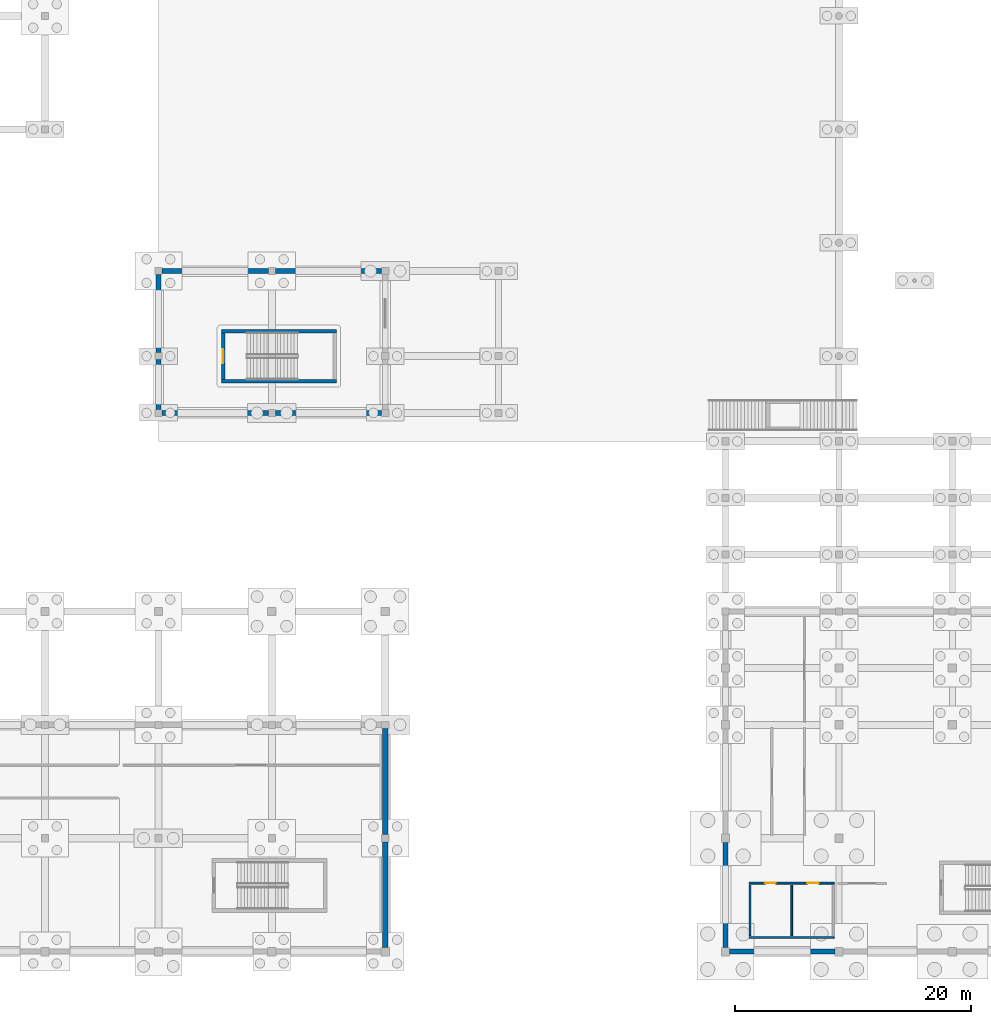
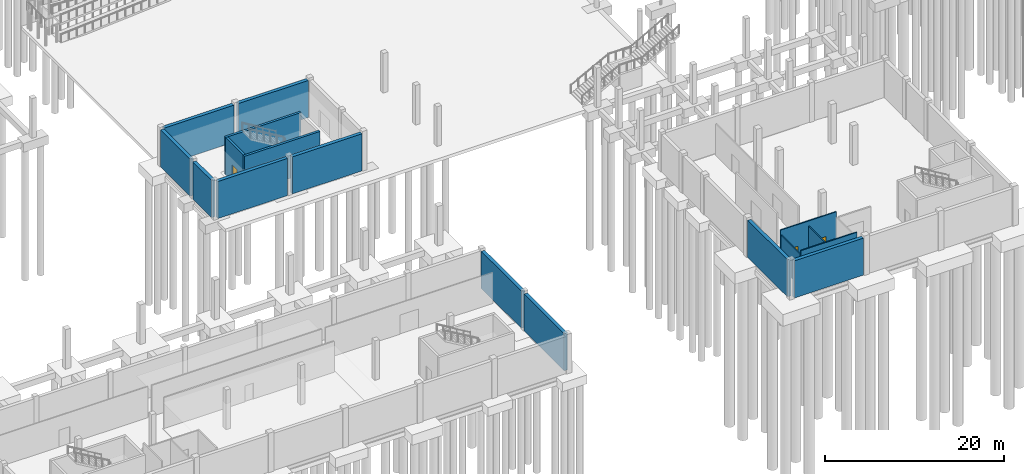
# One storey, part 23 of 41: 17 walls, 3 doors, 3 openings.
"""IFC4 building model written with IfcOpenShell, lengths in metres."""

from ifc_helpers import new_model, si_unit, direction, frame, frame_2d, origin, place, context, subcontext, project, spatial, rectangle, extrude, material, layer, layer_set, type_object, element, fill, save


model = new_model("IFC4")

# Units and contexts
model_context = context("Model", 3, precision=1e-05, world=origin(), true_north=direction((0.0, 1.0)))
body_context = subcontext(model_context, "Body", "Model", "MODEL_VIEW")
ifc_project = project(units=[si_unit("LENGTHUNIT", "METRE"), si_unit("AREAUNIT", "SQUARE_METRE"), si_unit("VOLUMEUNIT", "CUBIC_METRE"), si_unit("PLANEANGLEUNIT", "RADIAN"), si_unit("MASSUNIT", "GRAM", prefix="KILO")], contexts=[model_context])

# Site, building, storey
site_placement = place(None, origin())
site = spatial("IfcSite", under=ifc_project, at=site_placement, CompositionType="ELEMENT")
building_placement = place(site_placement, origin())
building = spatial("IfcBuilding", under=site, at=building_placement, Name="Shalvenor Court Art Gallery", CompositionType="ELEMENT")
storey_placement = place(building_placement, frame((0.0, 0.0, -5.39990234375)))
storey = spatial("IfcBuildingStorey", under=building, at=storey_placement, Name="B01", CompositionType="ELEMENT", Elevation=-5.39990234375)

# Walls
ifc_material_1 = material(Name="Concrete C40/50", Category="concrete")
ifc_layer_1 = layer(ifc_material_1, 0.31005859375, Name="Concrete C40/50")
ifc_layer_set_1 = layer_set([ifc_layer_1], Name="Concrete C40/50")
wall_type_1 = type_object("IfcWallType", Name="CW-W2", PredefinedType="SHEAR", material=ifc_layer_set_1)
for number, where, z_axis, x_axis, name in (
    (1, (53.327880859375, 52.51708984375, 0.0), (0.0, 0.0, 1.0), (1.0, 0.0, 0.0), "B01 C10 Stair Core Shear Wall N"),
    (2, (63.072021484375, 48.282958984375, 0.0), (0.0, 0.0, 1.0), (-1.0, 0.0, 0.0), "B01 C10 Stair Core Shear Wall S"),
):
    element("IfcWall", number, at=place(storey_placement, frame(where, z_axis=z_axis, x_axis=x_axis)), inside=storey, type_object=wall_type_1, Name=name, PredefinedType="SHEAR", context=body_context, shape_type="SweptSolid", body=[
        extrude(rectangle(XDim=9.744140625, YDim=0.31005859375, at=frame_2d((4.8720703125, 0.0))), origin(), (0.0, 0.0, 1.0), 5.059814453125),
    ])

# Wall, opening, door
wall_1_placement = place(storey_placement, frame((53.48291015625, 48.43798828125, 0.0), z_axis=(0.0, 0.0, 1.0), x_axis=(0.0, 1.0, 0.0)))
wall_1 = element("IfcWall", 3, at=wall_1_placement, inside=storey, type_object=wall_type_1, Name="B01 C10 Stair Core Shear Wall W", PredefinedType="SHEAR", context=body_context, shape_type="SweptSolid", body=[
    extrude(rectangle(XDim=3.924072265625, YDim=0.31005859375, at=frame_2d((1.9619140625, 0.0))), origin(), (0.0, 0.0, 1.0), 5.059814453125),
])
opening_1_placement = place(wall_1_placement, frame((1.362060546875, 0.0, 0.0)))
opening_1 = element("IfcOpeningElement", 4, at=opening_1_placement, cuts=wall_1, Name="Opening FD-01", PredefinedType="OPENING", context=body_context, shape_type="SweptSolid", body=[
    extrude(rectangle(XDim=1.199951171875, YDim=2.199951171875, at=frame_2d((0.60009765625, 1.10009765625))), frame((0.0, 0.1650390625, 0.0), z_axis=(0.0, -1.0, 0.0), x_axis=(1.0, 0.0, 0.0)), (0.0, 0.0, 1.0), 0.330078125),
])
ifc_material_2 = material(Name="Fire-rated steel stair doorset", Category="steel")
door_type_1 = type_object("IfcDoorType", Name="FD-01", OperationType="NOTDEFINED", PredefinedType="DOOR", material=ifc_material_2)
door_1_placement = place(opening_1_placement, origin())
door_1 = element("IfcDoor", 5, at=door_1_placement, inside=storey, type_object=door_type_1, Name="DR-ST-B01-C10 B01 ST-10 Fire Stair Door", OperationType="SINGLE_SWING_LEFT", OverallHeight=2.199951171875, OverallWidth=1.199951171875, PredefinedType="DOOR", context=body_context, shape_type="SweptSolid", body=[
    extrude(rectangle(XDim=1.199951171875, YDim=2.199951171875, at=frame_2d((0.60009765625, 1.10009765625))), frame((0.0, 0.02490234375, 0.0), z_axis=(0.0, -1.0, 0.0), x_axis=(1.0, 0.0, 0.0)), (0.0, 0.0, 1.0), 0.050048828125),
])
fill(opening_1, door_1)

# Wall, openings, doors
ifc_material_3 = material(Name="Moisture-resistant sanitary partition", Category="other")
ifc_layer_2 = layer(ifc_material_3, 0.14990234375, Name="Moisture-resistant sanitary partition")
ifc_layer_set_2 = layer_set([ifc_layer_2], Name="Moisture-resistant sanitary partition")
wall_type_2 = type_object("IfcWallType", Name="PT-03", PredefinedType="PARTITIONING", material=ifc_layer_set_2)
wall_2_placement = place(storey_placement, frame((98.0, 5.800048828125, 0.0), z_axis=(0.0, 0.0, 1.0), x_axis=(1.0, 0.0, 0.0)))
wall_2 = element("IfcWall", 6, at=wall_2_placement, inside=storey, type_object=wall_type_2, Name="B01 C4 Restroom Front Partition", PredefinedType="PARTITIONING", context=body_context, shape_type="SweptSolid", body=[
    extrude(rectangle(XDim=7.199951171875, YDim=0.14990234375, at=frame_2d((3.60009765625, 0.0))), origin(), (0.0, 0.0, 1.0), 5.059814453125),
])
opening_2_placement = place(wall_2_placement, frame((1.35009765625, 0.0, 0.0)))
opening_2 = element("IfcOpeningElement", 7, at=opening_2_placement, cuts=wall_2, Name="Opening ID-07", PredefinedType="OPENING", context=body_context, shape_type="SweptSolid", body=[
    extrude(rectangle(XDim=0.89990234375, YDim=2.10009765625, at=frame_2d((0.449951171875, 1.050048828125))), frame((0.0, 0.0849609375, 0.0), z_axis=(0.0, -1.0, 0.0), x_axis=(1.0, 0.0, 0.0)), (0.0, 0.0, 1.0), 0.169921875),
])
opening_3_placement = place(wall_2_placement, frame((4.925048828125, 0.0, 0.0)))
opening_3 = element("IfcOpeningElement", 8, at=opening_3_placement, cuts=wall_2, Name="Opening ID-06", PredefinedType="OPENING", context=body_context, shape_type="SweptSolid", body=[
    extrude(rectangle(XDim=0.949951171875, YDim=2.14990234375, at=frame_2d((0.47509765625, 1.074951171875))), frame((0.0, 0.0849609375, 0.0), z_axis=(0.0, -1.0, 0.0), x_axis=(1.0, 0.0, 0.0)), (0.0, 0.0, 1.0), 0.169921875),
])
ifc_material_4 = material(Name="Accessible restroom doorset", Category="steel")
door_type_2 = type_object("IfcDoorType", Name="ID-06", OperationType="NOTDEFINED", PredefinedType="DOOR", material=ifc_material_4)
door_2_placement = place(opening_3_placement, origin())
door_2 = element("IfcDoor", 9, at=door_2_placement, inside=storey, type_object=door_type_2, Name="DR-AWC-B01-C4-2 B01 C4 Accessible Restroom Door", OperationType="SINGLE_SWING_RIGHT", OverallHeight=2.14990234375, OverallWidth=0.949951171875, PredefinedType="DOOR", context=body_context, shape_type="SweptSolid", body=[
    extrude(rectangle(XDim=0.949951171875, YDim=2.14990234375, at=frame_2d((0.47509765625, 1.074951171875))), frame((0.0, 0.02490234375, 0.0), z_axis=(0.0, -1.0, 0.0), x_axis=(1.0, 0.0, 0.0)), (0.0, 0.0, 1.0), 0.050048828125),
])
fill(opening_3, door_2)
ifc_material_5 = material(Name="Restroom timber doorset", Category="wood")
door_type_3 = type_object("IfcDoorType", Name="ID-07", OperationType="NOTDEFINED", PredefinedType="DOOR", material=ifc_material_5)
door_3_placement = place(opening_2_placement, origin())
door_3 = element("IfcDoor", 10, at=door_3_placement, inside=storey, type_object=door_type_3, Name="DR-WC-B01-C4-1 B01 C4 Public Restroom Door", OperationType="SINGLE_SWING_LEFT", OverallHeight=2.10009765625, OverallWidth=0.89990234375, PredefinedType="DOOR", context=body_context, shape_type="SweptSolid", body=[
    extrude(rectangle(XDim=0.89990234375, YDim=2.10009765625, at=frame_2d((0.449951171875, 1.050048828125))), frame((0.0, 0.02490234375, 0.0), z_axis=(0.0, -1.0, 0.0), x_axis=(1.0, 0.0, 0.0)), (0.0, 0.0, 1.0), 0.050048828125),
])
fill(opening_2, door_3)

# Walls
wall_3_placement = place(storey_placement, frame((98.0, 1.199951171875, 0.0), z_axis=(0.0, 0.0, 1.0), x_axis=(1.0, 0.0, 0.0)))
element("IfcWall", 11, at=wall_3_placement, inside=storey, type_object=wall_type_2, Name="B01 C4 Restroom Back Partition", PredefinedType="PARTITIONING", context=body_context, shape_type="SweptSolid", body=[
    extrude(rectangle(XDim=7.199951171875, YDim=0.14990234375, at=frame_2d((3.60009765625, 0.0))), origin(), (0.0, 0.0, 1.0), 5.059814453125),
])
for number, where, z_axis, x_axis, name in (
    (12, (98.074951171875, 1.360107421875, 0.0), (0.0, 0.0, 1.0), (0.0, 1.0, 0.0), "B01 C4 Restroom Partition L"),
    (13, (101.60009765625, 1.360107421875, 0.0), (0.0, 0.0, 1.0), (0.0, 1.0, 0.0), "B01 C4 Restroom Partition M"),
):
    element("IfcWall", number, at=place(storey_placement, frame(where, z_axis=z_axis, x_axis=x_axis)), inside=storey, type_object=wall_type_2, Name=name, PredefinedType="PARTITIONING", context=body_context, shape_type="SweptSolid", body=[
        extrude(rectangle(XDim=4.27978515625, YDim=0.14990234375, at=frame_2d((2.139892578125, 0.0))), origin(), (0.0, 0.0, 1.0), 4.434814453125),
    ])
ifc_material_6 = material(Name="Concrete C40/50", Category="concrete")
ifc_layer_3 = layer(ifc_material_6, 0.43994140625, Name="Concrete C40/50")
ifc_layer_set_3 = layer_set([ifc_layer_3], Name="Concrete C40/50")
wall_type_3 = type_object("IfcWallType", Name="RW-02", PredefinedType="USERDEFINED", material=ifc_layer_set_3)
for number, where, z_axis, x_axis, name in (
    (14, (105.25, 0.0, 0.0), (0.0, 0.0, 1.0), (-1.0, 0.0, 0.0), "B01 Retaining Wall WL-B01-0173"),
    (15, (96.0, 0.35009765625, 0.0), (0.0, 0.0, 1.0), (0.0, 1.0, 0.0), "B01 Retaining Wall WL-B01-0174"),
):
    element("IfcWall", number, at=place(storey_placement, frame(where, z_axis=z_axis, x_axis=x_axis)), inside=storey, type_object=wall_type_3, Name=name, ObjectType="RETAINING WALL", PredefinedType="USERDEFINED", context=body_context, shape_type="SweptSolid", body=[
        extrude(rectangle(XDim=8.89990234375, YDim=0.43994140625, at=frame_2d((4.449951171875, 0.0))), origin(), (0.0, 0.0, 1.0), 5.059814453125),
    ])
wall_4_placement = place(storey_placement, frame((67.199951171875, 18.89990234375, 0.0), z_axis=(0.0, 0.0, 1.0), x_axis=(0.0, -1.0, 0.0)))
element("IfcWall", 16, at=wall_4_placement, inside=storey, type_object=wall_type_3, Name="B01 Retaining Wall WL-B01-0228", ObjectType="RETAINING WALL", PredefinedType="USERDEFINED", context=body_context, shape_type="SweptSolid", body=[
    extrude(rectangle(XDim=9.0, YDim=0.43994140625, at=frame_2d((4.5, 0.0))), origin(), (0.0, 0.0, 1.0), 5.059814453125),
])
wall_5_placement = place(storey_placement, frame((67.199951171875, 9.300048828125, 0.0), z_axis=(0.0, 0.0, 1.0), x_axis=(0.0, -1.0, 0.0)))
element("IfcWall", 17, at=wall_5_placement, inside=storey, type_object=wall_type_3, Name="B01 Retaining Wall WL-B01-0229", ObjectType="RETAINING WALL", PredefinedType="USERDEFINED", context=body_context, shape_type="SweptSolid", body=[
    extrude(rectangle(XDim=8.949951171875, YDim=0.43994140625, at=frame_2d((4.47509765625, 0.0))), origin(), (0.0, 0.0, 1.0), 5.059814453125),
])
for number, where, z_axis, x_axis, name in (
    (18, (48.300048828125, 57.60009765625, 0.0), (0.0, 0.0, 1.0), (1.0, 0.0, 0.0), "B01 Retaining Wall WL-B01-0320"),
    (19, (57.89990234375, 57.60009765625, 0.0), (0.0, 0.0, 1.0), (1.0, 0.0, 0.0), "B01 Retaining Wall WL-B01-0321"),
    (20, (66.89990234375, 45.60009765625, 0.0), (0.0, 0.0, 1.0), (-1.0, 0.0, 0.0), "B01 Retaining Wall WL-B01-0324"),
    (21, (57.300048828125, 45.60009765625, 0.0), (0.0, 0.0, 1.0), (-1.0, 0.0, 0.0), "B01 Retaining Wall WL-B01-0325"),
):
    element("IfcWall", number, at=place(storey_placement, frame(where, z_axis=z_axis, x_axis=x_axis)), inside=storey, type_object=wall_type_3, Name=name, ObjectType="RETAINING WALL", PredefinedType="USERDEFINED", context=body_context, shape_type="SweptSolid", body=[
        extrude(rectangle(XDim=9.0, YDim=0.43994140625, at=frame_2d((4.5, 0.0))), origin(), (0.0, 0.0, 1.0), 5.059814453125),
    ])
wall_6_placement = place(storey_placement, frame((48.0, 45.89990234375, 0.0), z_axis=(0.0, 0.0, 1.0), x_axis=(0.0, 1.0, 0.0)))
element("IfcWall", 22, at=wall_6_placement, inside=storey, type_object=wall_type_3, Name="B01 Retaining Wall WL-B01-0326", ObjectType="RETAINING WALL", PredefinedType="USERDEFINED", context=body_context, shape_type="SweptSolid", body=[
    extrude(rectangle(XDim=4.2001953125, YDim=0.43994140625, at=frame_2d((2.10009765625, 0.0))), origin(), (0.0, 0.0, 1.0), 5.059814453125),
])
wall_7_placement = place(storey_placement, frame((48.0, 50.699951171875, 0.0), z_axis=(0.0, 0.0, 1.0), x_axis=(0.0, 1.0, 0.0)))
element("IfcWall", 23, at=wall_7_placement, inside=storey, type_object=wall_type_3, Name="B01 Retaining Wall WL-B01-0327", ObjectType="RETAINING WALL", PredefinedType="USERDEFINED", context=body_context, shape_type="SweptSolid", body=[
    extrude(rectangle(XDim=6.60009765625, YDim=0.43994140625, at=frame_2d((3.300048828125, 0.0))), origin(), (0.0, 0.0, 1.0), 5.059814453125),
])

save(model, "model.ifc")
